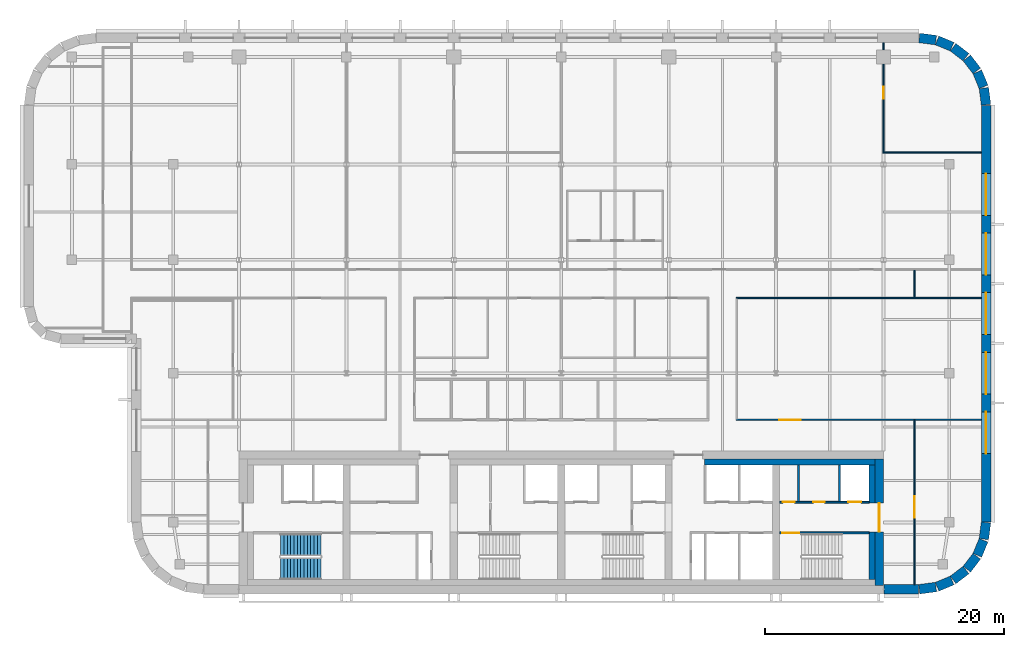
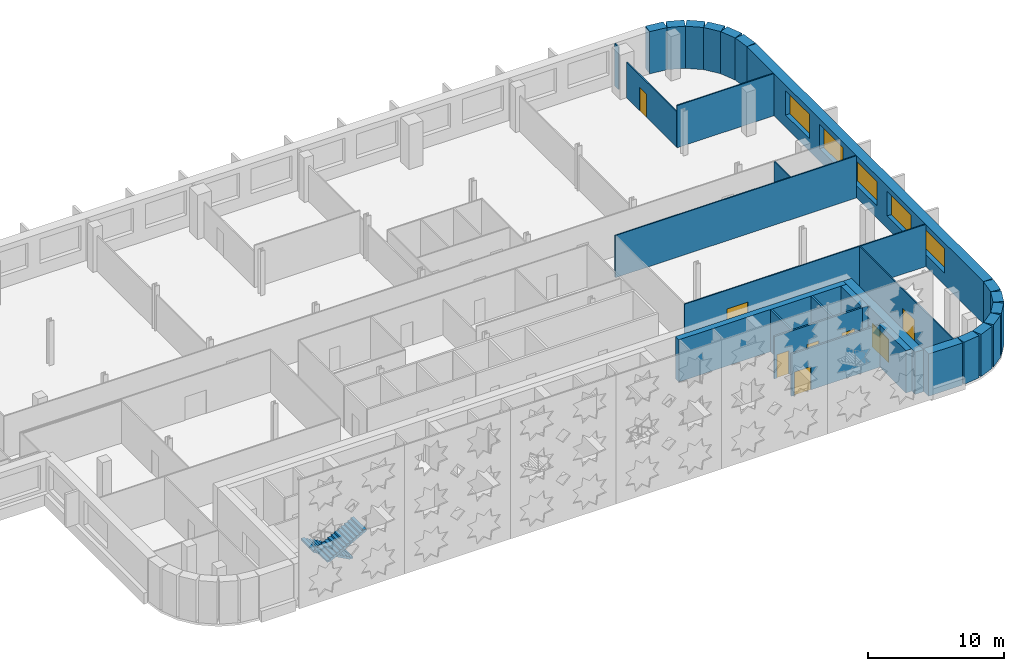
# One storey, part 11 of 17: 29 walls, 8 doors, 5 windows, 2 stair flights, 13 openings, 1 element without a shape of its own.
"""IFC4 building model written with IfcOpenShell, lengths in metres."""

from ifc_helpers import new_model, si_unit, direction, frame, frame_2d, origin, place, context, subcontext, project, spatial, polyline, rectangle, outline, extrude, material, layer, layer_set, type_object, element, fill, aggregate, save


model = new_model("IFC4")

# Units and contexts
model_context = context("Model", 3, precision=1e-05, world=origin(), true_north=direction((0.0, 1.0)))
body_context = subcontext(model_context, "Body", "Model", "MODEL_VIEW")
ifc_project = project(units=[si_unit("LENGTHUNIT", "METRE"), si_unit("AREAUNIT", "SQUARE_METRE"), si_unit("VOLUMEUNIT", "CUBIC_METRE"), si_unit("PLANEANGLEUNIT", "RADIAN"), si_unit("MASSUNIT", "GRAM", prefix="KILO")], contexts=[model_context])

# Site, building, storey
site_placement = place(None, origin())
site = spatial("IfcSite", under=ifc_project, at=site_placement, CompositionType="ELEMENT")
building_placement = place(site_placement, origin())
building = spatial("IfcBuilding", under=site, at=building_placement, Name="Zellij Exchange Tower", CompositionType="ELEMENT")
storey_placement = place(building_placement, frame((0.0, 0.0, 252.5)))
storey = spatial("IfcBuildingStorey", under=building, at=storey_placement, Name="L59", CompositionType="ELEMENT", Elevation=252.5)

# Walls
ifc_material_1 = material(Name="Concrete C30/37", Category="concrete")
ifc_layer_1 = layer(ifc_material_1, 0.5)
ifc_layer_set_1 = layer_set([ifc_layer_1], Name="Concrete C30/37")
wall_type_1 = type_object("IfcWallType", Name="CORE-LW 500 C30/37", PredefinedType="SHEAR", material=ifc_layer_set_1)
wall_1_placement = place(storey_placement, frame((12.0, -2.949951171875, 0.0), z_axis=(0.0, 0.0, 1.0), x_axis=(1.0, 0.0, 0.0)))
element("IfcWall", 1, at=wall_1_placement, inside=storey, type_object=wall_type_1, Name="Core wall lining front.2 L59", PredefinedType="SHEAR", context=body_context, shape_type="SweptSolid", body=[
    extrude(rectangle(XDim=14.300048828125, YDim=0.5, at=frame_2d((7.14990234375, 0.0))), origin(), (0.0, 0.0, 1.0), 3.800048828125),
])
wall_2_placement = place(storey_placement, frame((26.050048828125, -12.800048828125, 0.0), z_axis=(0.0, 0.0, 1.0), x_axis=(0.0, 1.0, 0.0)))
element("IfcWall", 2, at=wall_2_placement, inside=storey, type_object=wall_type_1, Name="Core wall lining end e.0 L59", PredefinedType="SHEAR", context=body_context, shape_type="SweptSolid", body=[
    extrude(rectangle(XDim=4.0, YDim=0.5, at=frame_2d((2.0, 0.0))), origin(), (0.0, 0.0, 1.0), 3.800048828125),
])
wall_3_placement = place(storey_placement, frame((26.050048828125, -6.375, 0.0), z_axis=(0.0, 0.0, 1.0), x_axis=(0.0, 1.0, 0.0)))
element("IfcWall", 3, at=wall_3_placement, inside=storey, type_object=wall_type_1, Name="Core wall lining end e.1 L59", PredefinedType="SHEAR", context=body_context, shape_type="SweptSolid", body=[
    extrude(rectangle(XDim=3.175048828125, YDim=0.5, at=frame_2d((1.58740234375, 0.0))), origin(), (0.0, 0.0, 1.0), 3.800048828125),
])
ifc_material_2 = material(Name="Gypsum board partition")
ifc_layer_2 = layer(ifc_material_2, 0.14990234375)
ifc_layer_set_2 = layer_set([ifc_layer_2], Name="Gypsum board partition")
wall_type_2 = type_object("IfcWallType", Name="CORE-PW 150 Lift lobby wall", PredefinedType="PARTITIONING", material=ifc_layer_set_2)
wall_4_placement = place(storey_placement, frame((19.875, -6.22509765625, 0.0), z_axis=(0.0, 0.0, 1.0), x_axis=(0.0, 1.0, 0.0)))
element("IfcWall", 4, at=wall_4_placement, inside=storey, type_object=wall_type_2, Name="Lift lobby wall L59", PredefinedType="PARTITIONING", context=body_context, shape_type="SweptSolid", body=[
    extrude(rectangle(XDim=3.025146484375, YDim=0.14990234375, at=frame_2d((1.5126953125, 0.0))), origin(), (0.0, 0.0, 1.0), 3.800048828125),
])
ifc_material_3 = material(Name="Gypsum shaft wall system")
ifc_layer_3 = layer(ifc_material_3, 0.14990234375)
ifc_layer_set_3 = layer_set([ifc_layer_3], Name="Gypsum shaft wall system")
wall_type_3 = type_object("IfcWallType", Name="CORE-PW 150 Lift shaft wall", PredefinedType="PARTITIONING", material=ifc_layer_set_3)
wall_5_placement = place(storey_placement, frame((23.324951171875, -6.22509765625, 0.0), z_axis=(0.0, 0.0, 1.0), x_axis=(0.0, 1.0, 0.0)))
element("IfcWall", 5, at=wall_5_placement, inside=storey, type_object=wall_type_3, Name="Lift shaft wall L59", PredefinedType="PARTITIONING", context=body_context, shape_type="SweptSolid", body=[
    extrude(rectangle(XDim=3.025146484375, YDim=0.14990234375, at=frame_2d((1.5126953125, 0.0))), origin(), (0.0, 0.0, 1.0), 3.800048828125),
])

# Wall, openings, doors
wall_6_placement = place(storey_placement, frame((18.300048828125, -6.300048828125, 0.0), z_axis=(0.0, 0.0, 1.0), x_axis=(1.0, 0.0, 0.0)))
wall_6 = element("IfcWall", 6, at=wall_6_placement, inside=storey, type_object=wall_type_3, Name="Lift shaft wall L59", PredefinedType="PARTITIONING", context=body_context, shape_type="SweptSolid", body=[
    extrude(rectangle(XDim=7.5, YDim=0.14990234375, at=frame_2d((3.75, 0.0))), origin(), (0.0, 0.0, 1.0), 3.800048828125),
])
opening_1_placement = place(wall_6_placement, frame((0.25, 0.0, 0.0)))
opening_1 = element("IfcOpeningElement", 7, at=opening_1_placement, cuts=wall_6, Name="Opening CA-30.22", PredefinedType="OPENING", context=body_context, shape_type="SweptSolid", body=[
    extrude(rectangle(XDim=1.0, YDim=2.10009765625, at=frame_2d((0.5, 1.050048828125))), frame((0.0, 0.0869140625, 0.0), z_axis=(0.0, -1.0, 0.0), x_axis=(1.0, 0.0, 0.0)), (0.0, 0.0, 1.0), 0.173828125),
])
opening_2_placement = place(wall_6_placement, frame((2.800048828125, 0.0, 0.0)))
opening_2 = element("IfcOpeningElement", 8, at=opening_2_placement, cuts=wall_6, Name="Opening CA-30.24", PredefinedType="OPENING", context=body_context, shape_type="SweptSolid", body=[
    extrude(rectangle(XDim=1.0, YDim=2.10009765625, at=frame_2d((0.5, 1.050048828125))), frame((0.0, 0.0869140625, 0.0), z_axis=(0.0, -1.0, 0.0), x_axis=(1.0, 0.0, 0.0)), (0.0, 0.0, 1.0), 0.173828125),
])
opening_3_placement = place(wall_6_placement, frame((5.75, 0.0, 0.0)))
opening_3 = element("IfcOpeningElement", 9, at=opening_3_placement, cuts=wall_6, Name="Opening CA-30.25", PredefinedType="OPENING", context=body_context, shape_type="SweptSolid", body=[
    extrude(rectangle(XDim=1.10009765625, YDim=2.10009765625, at=frame_2d((0.550048828125, 1.050048828125))), frame((0.0, 0.0869140625, 0.0), z_axis=(0.0, -1.0, 0.0), x_axis=(1.0, 0.0, 0.0)), (0.0, 0.0, 1.0), 0.173828125),
])
ifc_material_4 = material(Name="Hollow metal fire door")
door_type_1 = type_object("IfcDoorType", Name="CORE-D CD Core room door 1000x2100 1 HR", OperationType="NOTDEFINED", PredefinedType="DOOR", material=ifc_material_4)
door_1_placement = place(opening_1_placement, origin())
door_1 = element("IfcDoor", 10, at=door_1_placement, inside=storey, type_object=door_type_1, Name="Core room door CA-30.22", OperationType="SINGLE_SWING_LEFT", OverallHeight=2.10009765625, OverallWidth=1.0, PredefinedType="DOOR", context=body_context, shape_type="SweptSolid", body=[
    extrude(rectangle(XDim=1.0, YDim=2.10009765625, at=frame_2d((0.5, 1.050048828125))), frame((0.0, 0.02490234375, 0.0), z_axis=(0.0, -1.0, 0.0), x_axis=(1.0, 0.0, 0.0)), (0.0, 0.0, 1.0), 0.050048828125),
])
fill(opening_1, door_1)
door_2_placement = place(opening_2_placement, origin())
door_2 = element("IfcDoor", 11, at=door_2_placement, inside=storey, type_object=door_type_1, Name="Core room door CA-30.24", OperationType="SINGLE_SWING_LEFT", OverallHeight=2.10009765625, OverallWidth=1.0, PredefinedType="DOOR", context=body_context, shape_type="SweptSolid", body=[
    extrude(rectangle(XDim=1.0, YDim=2.10009765625, at=frame_2d((0.5, 1.050048828125))), frame((0.0, 0.02490234375, 0.0), z_axis=(0.0, -1.0, 0.0), x_axis=(1.0, 0.0, 0.0)), (0.0, 0.0, 1.0), 0.050048828125),
])
fill(opening_2, door_2)
door_type_2 = type_object("IfcDoorType", Name="CORE-D LD Lift landing door 1100x2100 1.5 HR", OperationType="NOTDEFINED", PredefinedType="DOOR", material=ifc_material_4)
door_3_placement = place(opening_3_placement, origin())
door_3 = element("IfcDoor", 12, at=door_3_placement, inside=storey, type_object=door_type_2, Name="Lift landing door CA-30.25", OperationType="SLIDING_TO_LEFT", OverallHeight=2.10009765625, OverallWidth=1.10009765625, PredefinedType="DOOR", context=body_context, shape_type="SweptSolid", body=[
    extrude(rectangle(XDim=1.10009765625, YDim=2.10009765625, at=frame_2d((0.550048828125, 1.050048828125))), frame((0.0, 0.02490234375, 0.0), z_axis=(0.0, -1.0, 0.0), x_axis=(1.0, 0.0, 0.0)), (0.0, 0.0, 1.0), 0.050048828125),
])
fill(opening_3, door_3)

# Wall, opening, door
ifc_material_5 = material(Name="Concrete C50/60", Category="concrete")
ifc_layer_4 = layer(ifc_material_5, 0.699951171875)
ifc_layer_set_4 = layer_set([ifc_layer_4], Name="Concrete C50/60")
wall_type_4 = type_object("IfcWallType", Name="CORE-SW 700 C50/60", PredefinedType="SHEAR", material=ifc_layer_set_4)
wall_7_placement = place(storey_placement, frame((26.64990234375, -13.300048828125, 0.0), z_axis=(0.0, 0.0, 1.0), x_axis=(0.0, 1.0, 0.0)))
wall_7 = element("IfcWall", 13, at=wall_7_placement, inside=storey, type_object=wall_type_4, Name="Core shear wall end e L59", PredefinedType="SHEAR", context=body_context, shape_type="SweptSolid", body=[
    extrude(rectangle(XDim=10.60009765625, YDim=0.699951171875, at=frame_2d((5.300048828125, 0.0))), origin(), (0.0, 0.0, 1.0), 3.800048828125),
])
opening_4_placement = place(wall_7_placement, frame((4.511962890625, 0.0, 0.0)))
opening_4 = element("IfcOpeningElement", 14, at=opening_4_placement, cuts=wall_7, Name="Opening CA-30.26", PredefinedType="OPENING", context=body_context, shape_type="SweptSolid", body=[
    extrude(rectangle(XDim=2.39990234375, YDim=2.10009765625, at=frame_2d((1.199951171875, 1.050048828125))), frame((0.0, 0.36181640625, 0.0), z_axis=(0.0, -1.0, 0.0), x_axis=(1.0, 0.0, 0.0)), (0.0, 0.0, 1.0), 0.723876953125),
])
door_type_3 = type_object("IfcDoorType", Name="CORE-D CE Core entrance door 2400x2100 20 MIN", OperationType="NOTDEFINED", PredefinedType="DOOR", material=ifc_material_4)
door_4_placement = place(opening_4_placement, origin())
door_4 = element("IfcDoor", 15, at=door_4_placement, inside=storey, type_object=door_type_3, Name="Core entrance door CA-30.26", OperationType="DOUBLE_DOOR_SINGLE_SWING", OverallHeight=2.10009765625, OverallWidth=2.39990234375, PredefinedType="DOOR", context=body_context, shape_type="SweptSolid", body=[
    extrude(rectangle(XDim=2.39990234375, YDim=2.10009765625, at=frame_2d((1.199951171875, 1.050048828125))), frame((0.0, 0.02490234375, 0.0), z_axis=(0.0, -1.0, 0.0), x_axis=(1.0, 0.0, 0.0)), (0.0, 0.0, 1.0), 0.050048828125),
])
fill(opening_4, door_4)

ifc_layer_5 = layer(ifc_material_5, 0.14990234375)
ifc_layer_set_5 = layer_set([ifc_layer_5], Name="Concrete C50/60")
wall_type_5 = type_object("IfcWallType", Name="CORE-SWS 150 C50/60", PredefinedType="SHEAR", material=ifc_layer_set_5)
wall_8_placement = place(storey_placement, frame((18.300048828125, -8.875, 0.0), z_axis=(0.0, 0.0, 1.0), x_axis=(1.0, 0.0, 0.0)))
wall_8 = element("IfcWall", 16, at=wall_8_placement, inside=storey, type_object=wall_type_5, Name="Stair enclosure wall L59", PredefinedType="SHEAR", context=body_context, shape_type="SweptSolid", body=[
    extrude(rectangle(XDim=7.5, YDim=0.14990234375, at=frame_2d((3.75, 0.0))), origin(), (0.0, 0.0, 1.0), 3.800048828125),
])
opening_5_placement = place(wall_8_placement, frame((0.22509765625, 0.0, 0.0)))
opening_5 = element("IfcOpeningElement", 17, at=opening_5_placement, cuts=wall_8, Name="Opening CA-30.23", PredefinedType="OPENING", context=body_context, shape_type="SweptSolid", body=[
    extrude(rectangle(XDim=1.39990234375, YDim=2.10009765625, at=frame_2d((0.699951171875, 1.050048828125))), frame((0.0, 0.0869140625, 0.0), z_axis=(0.0, -1.0, 0.0), x_axis=(1.0, 0.0, 0.0)), (0.0, 0.0, 1.0), 0.173828125),
])
door_type_4 = type_object("IfcDoorType", Name="CORE-D SD Stair door 1400x2100 1.5 HR", OperationType="NOTDEFINED", PredefinedType="DOOR", material=ifc_material_4)
door_5_placement = place(opening_5_placement, origin())
door_5 = element("IfcDoor", 18, at=door_5_placement, inside=storey, type_object=door_type_4, Name="Stair door CA-30.23", OperationType="DOUBLE_DOOR_SINGLE_SWING", OverallHeight=2.10009765625, OverallWidth=1.39990234375, PredefinedType="DOOR", context=body_context, shape_type="SweptSolid", body=[
    extrude(rectangle(XDim=1.39990234375, YDim=2.10009765625, at=frame_2d((0.699951171875, 1.050048828125))), frame((0.0, 0.02490234375, 0.0), z_axis=(0.0, -1.0, 0.0), x_axis=(1.0, 0.0, 0.0)), (0.0, 0.0, 1.0), 0.050048828125),
])
fill(opening_5, door_5)

# Walls
ifc_material_6 = material(Name="Precast concrete C40/50", Category="concrete")
ifc_layer_6 = layer(ifc_material_6, 0.800048828125)
ifc_layer_set_6 = layer_set([ifc_layer_6], Name="Precast concrete C40/50")
wall_type_6 = type_object("IfcWallType", Name="ENV-EW1 Precast stone-piered wall 800", PredefinedType="SOLIDWALL", material=ifc_layer_set_6)
wall_9_placement = place(storey_placement, frame((27.050048828125, -13.60009765625, 0.0), z_axis=(0.0, 0.0, 1.0), x_axis=(1.0, 0.0, 0.0)))
element("IfcWall", 19, at=wall_9_placement, inside=storey, type_object=wall_type_6, Name="fac.L59.00b", PredefinedType="SOLIDWALL", context=body_context, shape_type="SweptSolid", body=[
    extrude(rectangle(XDim=2.8974609375, YDim=0.800048828125, at=frame_2d((1.44873046875, 0.0))), origin(), (0.0, 0.0, 1.0), 3.800048828125),
])
wall_10_placement = place(storey_placement, frame((29.999755859375, -13.5966796875, 0.0), z_axis=(0.0, 0.0, 1.0), x_axis=(0.99144603414, 0.130517283865, 0.0)))
element("IfcWall", 20, at=wall_10_placement, inside=storey, type_object=wall_type_6, Name="fac.L59.01", PredefinedType="SOLIDWALL", context=body_context, shape_type="SweptSolid", body=[
    extrude(rectangle(XDim=1.408447265625, YDim=0.800048828125, at=frame_2d((0.7041015625, 0.0))), origin(), (0.0, 0.0, 1.0), 3.800048828125),
])
wall_11_placement = place(storey_placement, frame((31.497314453125, -13.3857421875, 0.0), z_axis=(0.0, 0.0, 1.0), x_axis=(0.923847774587, 0.38276009378, 0.0)))
element("IfcWall", 21, at=wall_11_placement, inside=storey, type_object=wall_type_6, Name="fac.L59.02", PredefinedType="SOLIDWALL", context=body_context, shape_type="SweptSolid", body=[
    extrude(rectangle(XDim=1.35546875, YDim=0.800048828125, at=frame_2d((0.677734375, 0.0))), origin(), (0.0, 0.0, 1.0), 3.800048828125),
])
for number, where, z_axis, x_axis, name in (
    (22, (32.840087890625, -12.814697265625, 0.0), (0.0, 0.0, 1.0), (0.793272915452, 0.608866226366, 0.0), "fac.L59.03"),
    (23, (33.9892578125, -11.91552734375, 0.0), (0.0, 0.0, 1.0), (0.608866226366, 0.793272915452, 0.0), "fac.L59.04"),
):
    element("IfcWall", number, at=place(storey_placement, frame(where, z_axis=z_axis, x_axis=x_axis)), inside=storey, type_object=wall_type_6, Name=name, PredefinedType="SOLIDWALL", context=body_context, shape_type="SweptSolid", body=[
        extrude(rectangle(XDim=1.355712890625, YDim=0.800048828125, at=frame_2d((0.677734375, 0.0))), origin(), (0.0, 0.0, 1.0), 3.800048828125),
    ])
wall_12_placement = place(storey_placement, frame((34.866943359375, -10.74951171875, 0.0), z_axis=(0.0, 0.0, 1.0), x_axis=(0.38276009378, 0.923847774587, 0.0)))
element("IfcWall", 24, at=wall_12_placement, inside=storey, type_object=wall_type_6, Name="fac.L59.05", PredefinedType="SOLIDWALL", context=body_context, shape_type="SweptSolid", body=[
    extrude(rectangle(XDim=1.35546875, YDim=0.800048828125, at=frame_2d((0.677734375, 0.0))), origin(), (0.0, 0.0, 1.0), 3.800048828125),
])
wall_13_placement = place(storey_placement, frame((35.412841796875, -9.396240234375, 0.0), z_axis=(0.0, 0.0, 1.0), x_axis=(0.130517283865, 0.99144603414, 0.0)))
element("IfcWall", 25, at=wall_13_placement, inside=storey, type_object=wall_type_6, Name="fac.L59.06", PredefinedType="SOLIDWALL", context=body_context, shape_type="SweptSolid", body=[
    extrude(rectangle(XDim=1.408447265625, YDim=0.800048828125, at=frame_2d((0.7041015625, 0.0))), origin(), (0.0, 0.0, 1.0), 3.800048828125),
])

# Wall, openings, windows
wall_14_placement = place(storey_placement, frame((35.60009765625, -7.947509765625, 0.0), z_axis=(0.0, 0.0, 1.0), x_axis=(0.0, 1.0, 0.0)))
wall_14 = element("IfcWall", 26, at=wall_14_placement, inside=storey, type_object=wall_type_6, Name="fac.L59.07", PredefinedType="SOLIDWALL", context=body_context, shape_type="SweptSolid", body=[
    extrude(rectangle(XDim=34.89501953125, YDim=0.800048828125, at=frame_2d((17.447509765625, 0.0))), origin(), (0.0, 0.0, 1.0), 3.800048828125),
])
opening_6_placement = place(wall_14_placement, frame((5.71240234375, 0.0, 1.10009765625)))
opening_6 = element("IfcOpeningElement", 27, at=opening_6_placement, cuts=wall_14, Name="Opening FZ4.01", PredefinedType="OPENING", context=body_context, shape_type="SweptSolid", body=[
    extrude(rectangle(XDim=3.5, YDim=2.199951171875, at=frame_2d((1.75, 1.10009765625))), frame((0.0, 0.412109375, 0.0), z_axis=(0.0, -1.0, 0.0), x_axis=(1.0, 0.0, 0.0)), (0.0, 0.0, 1.0), 0.823974609375),
])
opening_7_placement = place(wall_14_placement, frame((10.705078125, 0.0, 1.10009765625)))
opening_7 = element("IfcOpeningElement", 28, at=opening_7_placement, cuts=wall_14, Name="Opening FZ4.02", PredefinedType="OPENING", context=body_context, shape_type="SweptSolid", body=[
    extrude(rectangle(XDim=3.5, YDim=2.199951171875, at=frame_2d((1.75, 1.10009765625))), frame((0.0, 0.412109375, 0.0), z_axis=(0.0, -1.0, 0.0), x_axis=(1.0, 0.0, 0.0)), (0.0, 0.0, 1.0), 0.823974609375),
])
opening_8_placement = place(wall_14_placement, frame((15.697509765625, 0.0, 1.10009765625)))
opening_8 = element("IfcOpeningElement", 29, at=opening_8_placement, cuts=wall_14, Name="Opening FZ4.03", PredefinedType="OPENING", context=body_context, shape_type="SweptSolid", body=[
    extrude(rectangle(XDim=3.5, YDim=2.199951171875, at=frame_2d((1.75, 1.10009765625))), frame((0.0, 0.412109375, 0.0), z_axis=(0.0, -1.0, 0.0), x_axis=(1.0, 0.0, 0.0)), (0.0, 0.0, 1.0), 0.823974609375),
])
opening_9_placement = place(wall_14_placement, frame((20.690185546875, 0.0, 1.10009765625)))
opening_9 = element("IfcOpeningElement", 30, at=opening_9_placement, cuts=wall_14, Name="Opening FZ4.04", PredefinedType="OPENING", context=body_context, shape_type="SweptSolid", body=[
    extrude(rectangle(XDim=3.5, YDim=2.199951171875, at=frame_2d((1.75, 1.10009765625))), frame((0.0, 0.412109375, 0.0), z_axis=(0.0, -1.0, 0.0), x_axis=(1.0, 0.0, 0.0)), (0.0, 0.0, 1.0), 0.823974609375),
])
opening_10_placement = place(wall_14_placement, frame((25.6826171875, 0.0, 1.10009765625)))
opening_10 = element("IfcOpeningElement", 31, at=opening_10_placement, cuts=wall_14, Name="Opening FZ4.05", PredefinedType="OPENING", context=body_context, shape_type="SweptSolid", body=[
    extrude(rectangle(XDim=3.5, YDim=2.199951171875, at=frame_2d((1.75, 1.10009765625))), frame((0.0, 0.412109375, 0.0), z_axis=(0.0, -1.0, 0.0), x_axis=(1.0, 0.0, 0.0)), (0.0, 0.0, 1.0), 0.823974609375),
])
ifc_material_7 = material(Name="Aluminium frame with insulating glass", Category="aluminium")
window_type = type_object("IfcWindowType", Name="ENV-W7 Window 3500x2200", PartitioningType="SINGLE_PANEL", PredefinedType="WINDOW", material=ifc_material_7)
window_1_placement = place(opening_6_placement, origin())
window_1 = element("IfcWindow", 32, at=window_1_placement, inside=storey, type_object=window_type, Name="Window FZ4.01", OverallHeight=2.199951171875, OverallWidth=3.5, PartitioningType="SINGLE_PANEL", PredefinedType="WINDOW", context=body_context, shape_type="SweptSolid", body=[
    extrude(rectangle(XDim=3.5, YDim=2.199951171875, at=frame_2d((1.75, 1.10009765625))), frame((0.0, 0.030029296875, 0.0), z_axis=(0.0, -1.0, 0.0), x_axis=(1.0, 0.0, 0.0)), (0.0, 0.0, 1.0), 0.06005859375),
])
fill(opening_6, window_1)
window_2_placement = place(opening_7_placement, origin())
window_2 = element("IfcWindow", 33, at=window_2_placement, inside=storey, type_object=window_type, Name="Window FZ4.02", OverallHeight=2.199951171875, OverallWidth=3.5, PartitioningType="SINGLE_PANEL", PredefinedType="WINDOW", context=body_context, shape_type="SweptSolid", body=[
    extrude(rectangle(XDim=3.5, YDim=2.199951171875, at=frame_2d((1.75, 1.10009765625))), frame((0.0, 0.030029296875, 0.0), z_axis=(0.0, -1.0, 0.0), x_axis=(1.0, 0.0, 0.0)), (0.0, 0.0, 1.0), 0.06005859375),
])
fill(opening_7, window_2)
window_3_placement = place(opening_8_placement, origin())
window_3 = element("IfcWindow", 34, at=window_3_placement, inside=storey, type_object=window_type, Name="Window FZ4.03", OverallHeight=2.199951171875, OverallWidth=3.5, PartitioningType="SINGLE_PANEL", PredefinedType="WINDOW", context=body_context, shape_type="SweptSolid", body=[
    extrude(rectangle(XDim=3.5, YDim=2.199951171875, at=frame_2d((1.75, 1.10009765625))), frame((0.0, 0.030029296875, 0.0), z_axis=(0.0, -1.0, 0.0), x_axis=(1.0, 0.0, 0.0)), (0.0, 0.0, 1.0), 0.06005859375),
])
fill(opening_8, window_3)
window_4_placement = place(opening_9_placement, origin())
window_4 = element("IfcWindow", 35, at=window_4_placement, inside=storey, type_object=window_type, Name="Window FZ4.04", OverallHeight=2.199951171875, OverallWidth=3.5, PartitioningType="SINGLE_PANEL", PredefinedType="WINDOW", context=body_context, shape_type="SweptSolid", body=[
    extrude(rectangle(XDim=3.5, YDim=2.199951171875, at=frame_2d((1.75, 1.10009765625))), frame((0.0, 0.030029296875, 0.0), z_axis=(0.0, -1.0, 0.0), x_axis=(1.0, 0.0, 0.0)), (0.0, 0.0, 1.0), 0.06005859375),
])
fill(opening_9, window_4)
window_5_placement = place(opening_10_placement, origin())
window_5 = element("IfcWindow", 36, at=window_5_placement, inside=storey, type_object=window_type, Name="Window FZ4.05", OverallHeight=2.199951171875, OverallWidth=3.5, PartitioningType="SINGLE_PANEL", PredefinedType="WINDOW", context=body_context, shape_type="SweptSolid", body=[
    extrude(rectangle(XDim=3.5, YDim=2.199951171875, at=frame_2d((1.75, 1.10009765625))), frame((0.0, 0.030029296875, 0.0), z_axis=(0.0, -1.0, 0.0), x_axis=(1.0, 0.0, 0.0)), (0.0, 0.0, 1.0), 0.06005859375),
])
fill(opening_10, window_5)

# Walls
wall_15_placement = place(storey_placement, frame((35.5966796875, 26.999755859375, 0.0), z_axis=(0.0, 0.0, 1.0), x_axis=(-0.130517283865, 0.99144603414, 0.0)))
element("IfcWall", 37, at=wall_15_placement, inside=storey, type_object=wall_type_6, Name="fac.L59.08", PredefinedType="SOLIDWALL", context=body_context, shape_type="SweptSolid", body=[
    extrude(rectangle(XDim=1.408447265625, YDim=0.800048828125, at=frame_2d((0.7041015625, 0.0))), origin(), (0.0, 0.0, 1.0), 3.800048828125),
])
wall_16_placement = place(storey_placement, frame((35.3857421875, 28.497314453125, 0.0), z_axis=(0.0, 0.0, 1.0), x_axis=(-0.38276009378, 0.923847774587, 0.0)))
element("IfcWall", 38, at=wall_16_placement, inside=storey, type_object=wall_type_6, Name="fac.L59.09", PredefinedType="SOLIDWALL", context=body_context, shape_type="SweptSolid", body=[
    extrude(rectangle(XDim=1.35546875, YDim=0.800048828125, at=frame_2d((0.677734375, 0.0))), origin(), (0.0, 0.0, 1.0), 3.800048828125),
])
for number, where, z_axis, x_axis, name in (
    (39, (34.814697265625, 29.840087890625, 0.0), (0.0, 0.0, 1.0), (-0.608866226366, 0.793272915452, 0.0), "fac.L59.10"),
    (40, (33.91552734375, 30.9892578125, 0.0), (0.0, 0.0, 1.0), (-0.793272915452, 0.608866226366, 0.0), "fac.L59.11"),
):
    element("IfcWall", number, at=place(storey_placement, frame(where, z_axis=z_axis, x_axis=x_axis)), inside=storey, type_object=wall_type_6, Name=name, PredefinedType="SOLIDWALL", context=body_context, shape_type="SweptSolid", body=[
        extrude(rectangle(XDim=1.355712890625, YDim=0.800048828125, at=frame_2d((0.677734375, 0.0))), origin(), (0.0, 0.0, 1.0), 3.800048828125),
    ])
wall_17_placement = place(storey_placement, frame((32.74951171875, 31.866943359375, 0.0), z_axis=(0.0, 0.0, 1.0), x_axis=(-0.923847774587, 0.38276009378, 0.0)))
element("IfcWall", 41, at=wall_17_placement, inside=storey, type_object=wall_type_6, Name="fac.L59.12", PredefinedType="SOLIDWALL", context=body_context, shape_type="SweptSolid", body=[
    extrude(rectangle(XDim=1.35546875, YDim=0.800048828125, at=frame_2d((0.677734375, 0.0))), origin(), (0.0, 0.0, 1.0), 3.800048828125),
])
wall_18_placement = place(storey_placement, frame((31.396240234375, 32.412841796875, 0.0), z_axis=(0.0, 0.0, 1.0), x_axis=(-0.99144603414, 0.130517283865, 0.0)))
element("IfcWall", 42, at=wall_18_placement, inside=storey, type_object=wall_type_6, Name="fac.L59.13", PredefinedType="SOLIDWALL", context=body_context, shape_type="SweptSolid", body=[
    extrude(rectangle(XDim=1.408447265625, YDim=0.800048828125, at=frame_2d((0.7041015625, 0.0))), origin(), (0.0, 0.0, 1.0), 3.800048828125),
])

# Wall, opening, door
ifc_material_8 = material(Name="Gypsum board partition on steel studs", Category="steel")
ifc_layer_7 = layer(ifc_material_8, 0.10009765625)
ifc_layer_set_7 = layer_set([ifc_layer_7], Name="Gypsum board partition on steel studs")
wall_type_7 = type_object("IfcWallType", Name="FIT-PARTITION-100", PredefinedType="PARTITIONING", material=ifc_layer_set_7)
wall_19_placement = place(storey_placement, frame((29.60009765625, -13.199951171875, 0.0), z_axis=(0.0, 0.0, 1.0), x_axis=(0.0, 1.0, 0.0)))
wall_19 = element("IfcWall", 43, at=wall_19_placement, inside=storey, type_object=wall_type_7, Name="FIT-PARTITION-100 002", PredefinedType="PARTITIONING", context=body_context, shape_type="SweptSolid", body=[
    extrude(rectangle(XDim=13.75, YDim=0.10009765625, at=frame_2d((6.875, 0.0))), origin(), (0.0, 0.0, 1.0), 3.800048828125),
])
opening_11_placement = place(wall_19_placement, frame((5.60009765625, 0.0, 0.0)))
opening_11 = element("IfcOpeningElement", 44, at=opening_11_placement, cuts=wall_19, Name="Opening O4D.01", PredefinedType="OPENING", context=body_context, shape_type="SweptSolid", body=[
    extrude(rectangle(XDim=1.800048828125, YDim=2.10009765625, at=frame_2d((0.89990234375, 1.050048828125))), frame((0.0, 0.06201171875, 0.0), z_axis=(0.0, -1.0, 0.0), x_axis=(1.0, 0.0, 0.0)), (0.0, 0.0, 1.0), 0.1240234375),
])
ifc_material_9 = material(Name="Timber door set", Category="wood")
door_type_5 = type_object("IfcDoorType", Name="FIT-D3-DOUBLE-1800X2100", OperationType="DOUBLE_DOOR_SINGLE_SWING", PredefinedType="DOOR", material=ifc_material_9)
door_6_placement = place(opening_11_placement, origin())
door_6 = element("IfcDoor", 45, at=door_6_placement, inside=storey, type_object=door_type_5, Name="Door O4D.01", OperationType="DOUBLE_DOOR_SINGLE_SWING", OverallHeight=2.10009765625, OverallWidth=1.800048828125, PredefinedType="DOOR", context=body_context, shape_type="SweptSolid", body=[
    extrude(rectangle(XDim=1.800048828125, YDim=2.10009765625, at=frame_2d((0.89990234375, 1.050048828125))), frame((0.0, 0.02490234375, 0.0), z_axis=(0.0, -1.0, 0.0), x_axis=(1.0, 0.0, 0.0)), (0.0, 0.0, 1.0), 0.050048828125),
])
fill(opening_11, door_6)

wall_20_placement = place(storey_placement, frame((14.64990234375, 0.60009765625, 0.0), z_axis=(0.0, 0.0, 1.0), x_axis=(1.0, 0.0, 0.0)))
wall_20 = element("IfcWall", 46, at=wall_20_placement, inside=storey, type_object=wall_type_7, Name="FIT-PARTITION-100 016", PredefinedType="PARTITIONING", context=body_context, shape_type="SweptSolid", body=[
    extrude(rectangle(XDim=20.550048828125, YDim=0.10009765625, at=frame_2d((10.27490234375, 0.0))), origin(), (0.0, 0.0, 1.0), 3.800048828125),
])
opening_12_placement = place(wall_20_placement, frame((3.60009765625, 0.0, 0.0)))
opening_12 = element("IfcOpeningElement", 47, at=opening_12_placement, cuts=wall_20, Name="Opening O4D.08", PredefinedType="OPENING", context=body_context, shape_type="SweptSolid", body=[
    extrude(rectangle(XDim=1.800048828125, YDim=2.10009765625, at=frame_2d((0.89990234375, 1.050048828125))), frame((0.0, 0.06201171875, 0.0), z_axis=(0.0, -1.0, 0.0), x_axis=(1.0, 0.0, 0.0)), (0.0, 0.0, 1.0), 0.1240234375),
])
door_7_placement = place(opening_12_placement, origin())
door_7 = element("IfcDoor", 48, at=door_7_placement, inside=storey, type_object=door_type_5, Name="Door O4D.08", OperationType="DOUBLE_DOOR_SINGLE_SWING", OverallHeight=2.10009765625, OverallWidth=1.800048828125, PredefinedType="DOOR", context=body_context, shape_type="SweptSolid", body=[
    extrude(rectangle(XDim=1.800048828125, YDim=2.10009765625, at=frame_2d((0.89990234375, 1.050048828125))), frame((0.0, 0.02490234375, 0.0), z_axis=(0.0, -1.0, 0.0), x_axis=(1.0, 0.0, 0.0)), (0.0, 0.0, 1.0), 0.050048828125),
])
fill(opening_12, door_7)

# Walls
wall_21_placement = place(storey_placement, frame((14.64990234375, 10.800048828125, 0.0), z_axis=(0.0, 0.0, 1.0), x_axis=(1.0, 0.0, 0.0)))
element("IfcWall", 49, at=wall_21_placement, inside=storey, type_object=wall_type_7, Name="FIT-PARTITION-100 034", PredefinedType="PARTITIONING", context=body_context, shape_type="SweptSolid", body=[
    extrude(rectangle(XDim=20.550048828125, YDim=0.10009765625, at=frame_2d((10.27490234375, 0.0))), origin(), (0.0, 0.0, 1.0), 3.800048828125),
])
wall_22_placement = place(storey_placement, frame((29.60009765625, 10.85009765625, 0.0), z_axis=(0.0, 0.0, 1.0), x_axis=(0.0, 1.0, 0.0)))
element("IfcWall", 50, at=wall_22_placement, inside=storey, type_object=wall_type_7, Name="FIT-PARTITION-100 035", PredefinedType="PARTITIONING", context=body_context, shape_type="SweptSolid", body=[
    extrude(rectangle(XDim=2.2998046875, YDim=0.10009765625, at=frame_2d((1.14990234375, 0.0))), origin(), (0.0, 0.0, 1.0), 3.800048828125),
])
wall_23_placement = place(storey_placement, frame((26.949951171875, 23.0, 0.0), z_axis=(0.0, 0.0, 1.0), x_axis=(1.0, 0.0, 0.0)))
element("IfcWall", 51, at=wall_23_placement, inside=storey, type_object=wall_type_7, Name="FIT-PARTITION-100 059", PredefinedType="PARTITIONING", context=body_context, shape_type="SweptSolid", body=[
    extrude(rectangle(XDim=8.25, YDim=0.10009765625, at=frame_2d((4.125, 0.0))), origin(), (0.0, 0.0, 1.0), 3.800048828125),
])

# Wall, opening, door
wall_24_placement = place(storey_placement, frame((27.0, 23.050048828125, 0.0), z_axis=(0.0, 0.0, 1.0), x_axis=(0.0, 1.0, 0.0)))
wall_24 = element("IfcWall", 52, at=wall_24_placement, inside=storey, type_object=wall_type_7, Name="FIT-PARTITION-100 060", PredefinedType="PARTITIONING", context=body_context, shape_type="SweptSolid", body=[
    extrude(rectangle(XDim=7.349853515625, YDim=0.10009765625, at=frame_2d((3.6748046875, 0.0))), origin(), (0.0, 0.0, 1.0), 3.19287109375),
])
opening_13_placement = place(wall_24_placement, frame((4.449951171875, 0.0, 0.0)))
opening_13 = element("IfcOpeningElement", 53, at=opening_13_placement, cuts=wall_24, Name="Opening O4D.26", PredefinedType="OPENING", context=body_context, shape_type="SweptSolid", body=[
    extrude(rectangle(XDim=1.0, YDim=2.10009765625, at=frame_2d((0.5, 1.050048828125))), frame((0.0, 0.06201171875, 0.0), z_axis=(0.0, -1.0, 0.0), x_axis=(1.0, 0.0, 0.0)), (0.0, 0.0, 1.0), 0.1240234375),
])
door_type_6 = type_object("IfcDoorType", Name="FIT-D2-WIDE-1000X2100", OperationType="SINGLE_SWING_LEFT", PredefinedType="DOOR", material=ifc_material_9)
door_8_placement = place(opening_13_placement, origin())
door_8 = element("IfcDoor", 54, at=door_8_placement, inside=storey, type_object=door_type_6, Name="Door O4D.26", OperationType="SINGLE_SWING_RIGHT", OverallHeight=2.10009765625, OverallWidth=1.0, PredefinedType="DOOR", context=body_context, shape_type="SweptSolid", body=[
    extrude(rectangle(XDim=1.0, YDim=2.10009765625, at=frame_2d((0.5, 1.050048828125))), frame((0.0, 0.02490234375, 0.0), z_axis=(0.0, -1.0, 0.0), x_axis=(1.0, 0.0, 0.0)), (0.0, 0.0, 1.0), 0.050048828125),
])
fill(opening_13, door_8)

# Wall
wall_25_placement = place(storey_placement, frame((27.0, 31.60009765625, 0.0), z_axis=(0.0, 0.0, 1.0), x_axis=(0.0, 1.0, 0.0)))
element("IfcWall", 55, at=wall_25_placement, inside=storey, type_object=wall_type_7, Name="FIT-PARTITION-100 061", PredefinedType="PARTITIONING", context=body_context, shape_type="SweptSolid", body=[
    extrude(rectangle(XDim=0.599853515625, YDim=0.10009765625, at=frame_2d((0.2998046875, 0.0))), origin(), (0.0, 0.0, 1.0), 3.800048828125),
])

# Stair, stair flights
ifc_material_10 = material(Name="Concrete C40/50", Category="concrete")
stair_type = type_object("IfcStairType", Name="CORE-ST exit stair 1850 wide", PredefinedType="HALF_TURN_STAIR", material=ifc_material_10)
stair_placement = place(storey_placement, origin())
stair = element("IfcStair", 56, at=stair_placement, inside=storey, type_object=stair_type, Name="L59 exit stair ST1", PredefinedType="HALF_TURN_STAIR")
stair_flight_type = type_object("IfcStairFlightType", Name="CORE-SF flight 1850 riser 153.8 going 280", PredefinedType="STRAIGHT", material=ifc_material_10)
stair_flight_1_placement = place(storey_placement, frame((-20.14990234375, -9.875, 0.0), z_axis=(0.0, 0.0, 1.0), x_axis=(-1.0, 0.0, 0.0)))
stair_flight_1 = element("IfcStairFlight", 57, at=stair_flight_1_placement, type_object=stair_flight_type, Name="ST1 flight 1", NumberOfRisers=13, NumberOfTreads=12, PredefinedType="STRAIGHT", RiserHeight=0.153846154, TreadLength=0.28, context=body_context, shape_type="SweptSolid", body=[
    extrude(outline(polyline([(0.0, 0.0), (0.0, 0.15380859375), (0.280029296875, 0.15380859375), (0.280029296875, 0.3076171875), (0.56005859375, 0.3076171875), (0.56005859375, 0.46142578125), (0.840087890625, 0.46142578125), (0.840087890625, 0.615478515625), (1.1201171875, 0.615478515625), (1.1201171875, 0.769287109375), (1.39990234375, 0.769287109375), (1.39990234375, 0.923095703125), (1.679931640625, 0.923095703125), (1.679931640625, 1.076904296875), (1.9599609375, 1.076904296875), (1.9599609375, 1.230712890625), (2.239990234375, 1.230712890625), (2.239990234375, 1.384521484375), (2.52001953125, 1.384521484375), (2.52001953125, 1.53857421875), (2.800048828125, 1.53857421875), (2.800048828125, 1.6923828125), (3.080078125, 1.6923828125), (3.080078125, 1.84619140625), (3.360107421875, 1.84619140625), (3.360107421875, 2.0), (3.360107421875, 1.675048828125), (0.311279296875, 0.0), (0.0, 0.0)])), frame((0.0, 0.925048828125, 0.0), z_axis=(0.0, -1.0, 0.0), x_axis=(1.0, 0.0, 0.0)), (0.0, 0.0, 1.0), 1.85009765625),
])
stair_flight_2_placement = place(storey_placement, frame((-23.510009765625, -11.875, 2.0), z_axis=(0.0, 0.0, 1.0), x_axis=(1.0, 0.0, 0.0)))
stair_flight_2 = element("IfcStairFlight", 58, at=stair_flight_2_placement, type_object=stair_flight_type, Name="ST1 flight 2", NumberOfRisers=13, NumberOfTreads=12, PredefinedType="STRAIGHT", RiserHeight=0.153846154, TreadLength=0.28, context=body_context, shape_type="SweptSolid", body=[
    extrude(outline(polyline([(0.0, 0.0), (0.0, 0.15380859375), (0.280029296875, 0.15380859375), (0.280029296875, 0.3076171875), (0.56005859375, 0.3076171875), (0.56005859375, 0.46142578125), (0.840087890625, 0.46142578125), (0.840087890625, 0.615478515625), (1.1201171875, 0.615478515625), (1.1201171875, 0.769287109375), (1.39990234375, 0.769287109375), (1.39990234375, 0.923095703125), (1.679931640625, 0.923095703125), (1.679931640625, 1.076904296875), (1.9599609375, 1.076904296875), (1.9599609375, 1.230712890625), (2.239990234375, 1.230712890625), (2.239990234375, 1.384521484375), (2.52001953125, 1.384521484375), (2.52001953125, 1.53857421875), (2.800048828125, 1.53857421875), (2.800048828125, 1.6923828125), (3.080078125, 1.6923828125), (3.080078125, 1.84619140625), (3.360107421875, 1.84619140625), (3.360107421875, 2.0), (3.360107421875, 1.675048828125), (0.311279296875, 0.0), (0.0, 0.0)])), frame((0.0, 0.925048828125, 0.0), z_axis=(0.0, -1.0, 0.0), x_axis=(1.0, 0.0, 0.0)), (0.0, 0.0, 1.0), 1.85009765625),
])
aggregate(stair, [stair_flight_1, stair_flight_2])

save(model, "model.ifc")
